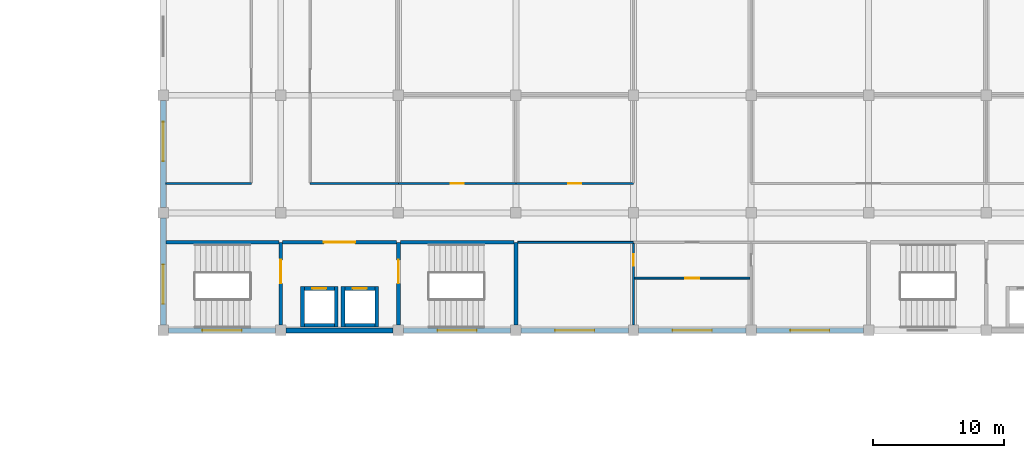
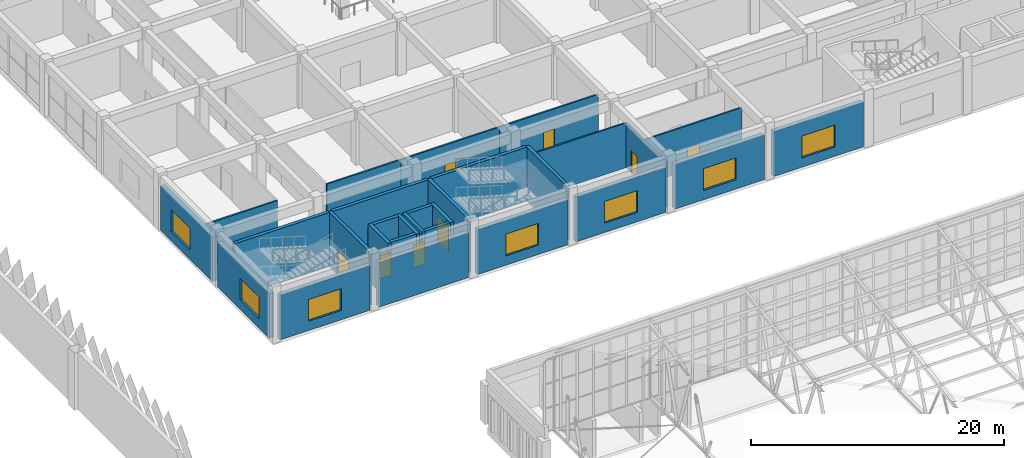
# One storey, part 122 of 185: 29 walls, 9 doors, 7 windows, 16 openings.
"""IFC4 building model written with IfcOpenShell, lengths in metres."""

from ifc_helpers import new_model, si_unit, direction, frame, frame_2d, origin, place, context, subcontext, project, spatial, rectangle, extrude, material, layer, layer_set, type_object, element, fill, save


model = new_model("IFC4")

# Units and contexts
model_context = context("Model", 3, precision=1e-05, world=origin(), true_north=direction((0.0, 1.0)))
body_context = subcontext(model_context, "Body", "Model", "MODEL_VIEW")
ifc_project = project(units=[si_unit("LENGTHUNIT", "METRE"), si_unit("AREAUNIT", "SQUARE_METRE"), si_unit("VOLUMEUNIT", "CUBIC_METRE"), si_unit("PLANEANGLEUNIT", "RADIAN"), si_unit("MASSUNIT", "GRAM", prefix="KILO")], contexts=[model_context])

# Site, building, storey
site_placement = place(None, origin())
site = spatial("IfcSite", under=ifc_project, at=site_placement, CompositionType="ELEMENT")
building_placement = place(site_placement, origin())
building = spatial("IfcBuilding", under=site, at=building_placement, Name="Opaline Strait Convention Centre", CompositionType="ELEMENT")
storey_placement = place(building_placement, frame((0.0, 0.0, 6.0)))
storey = spatial("IfcBuildingStorey", under=building, at=storey_placement, Name="L01", CompositionType="ELEMENT", Elevation=6.0)

# Walls
ifc_material_1 = material(Name="Gypsum board")
ifc_layer_1 = layer(ifc_material_1, 0.032470703125)
ifc_material_2 = material(Name="Steel stud and mineral wool", Category="steel")
ifc_layer_2 = layer(ifc_material_2, 0.0849609375)
ifc_layer_3 = layer(ifc_material_1, 0.032470703125)
ifc_layer_set_1 = layer_set([ifc_layer_1, ifc_layer_2, ifc_layer_3], Name="Gypsum board, Steel stud and mineral wool, Gypsum board")
wall_type_1 = type_object("IfcWallType", Name="Corridor partition 150 EI60", PredefinedType="PARTITIONING", material=ifc_layer_set_1)
wall_1_placement = place(storey_placement, frame((279.199951171875, 101.25, 0.0), z_axis=(0.0, 0.0, 1.0), x_axis=(1.0, 0.0, 0.0)))
element("IfcWall", 1, at=wall_1_placement, inside=storey, type_object=wall_type_1, Name="MPW1 partition Meeting Room 1.01 S", PredefinedType="PARTITIONING", context=body_context, shape_type="SweptSolid", body=[
    extrude(rectangle(XDim=6.550048828125, YDim=0.14990234375, at=frame_2d((3.27490234375, 0.0))), origin(), (0.0, 0.0, 1.0), 4.320068359375),
])
wall_2_placement = place(storey_placement, frame((290.25, 101.25, 0.0), z_axis=(0.0, 0.0, 1.0), x_axis=(1.0, 0.0, 0.0)))
element("IfcWall", 2, at=wall_2_placement, inside=storey, type_object=wall_type_1, Name="MPW1 partition Meeting Room 1.07 S", PredefinedType="PARTITIONING", context=body_context, shape_type="SweptSolid", body=[
    extrude(rectangle(XDim=6.75, YDim=0.14990234375, at=frame_2d((3.375, 0.0))), origin(), (0.0, 0.0, 1.0), 4.320068359375),
])

# Wall, opening, door
wall_3_placement = place(storey_placement, frame((297.0, 101.25, 0.0), z_axis=(0.0, 0.0, 1.0), x_axis=(1.0, 0.0, 0.0)))
wall_3 = element("IfcWall", 3, at=wall_3_placement, inside=storey, type_object=wall_type_1, Name="MPW1 partition Breakout Room 1.12 S", PredefinedType="PARTITIONING", context=body_context, shape_type="SweptSolid", body=[
    extrude(rectangle(XDim=9.0, YDim=0.14990234375, at=frame_2d((4.5, 0.0))), origin(), (0.0, 0.0, 1.0), 4.320068359375),
])
opening_1_placement = place(wall_3_placement, frame((4.0, 0.0, 0.0)))
opening_1 = element("IfcOpeningElement", 4, at=opening_1_placement, cuts=wall_3, Name="Opening M1-032", PredefinedType="OPENING", context=body_context, shape_type="SweptSolid", body=[
    extrude(rectangle(XDim=1.0, YDim=2.39990234375, at=frame_2d((0.5, 1.199951171875))), frame((0.0, 0.0849609375, 0.0), z_axis=(0.0, -1.0, 0.0), x_axis=(1.0, 0.0, 0.0)), (0.0, 0.0, 1.0), 0.169921875),
])
ifc_material_3 = material(Name="Solid-core timber leaf, steel frame door set", Category="steel")
door_type_1 = type_object("IfcDoorType", Name="Meeting room door FD30 1000 x 2400", OperationType="SINGLE_SWING_LEFT", PredefinedType="DOOR", material=ifc_material_3)
door_1_placement = place(opening_1_placement, frame((1.0, 0.0, 0.0), z_axis=(0.0, 0.0, 1.0), x_axis=(-1.0, 0.0, 0.0)))
door_1 = element("IfcDoor", 5, at=door_1_placement, inside=storey, type_object=door_type_1, Name="Door Breakout Room 1.12", ObjectType="MD8", OperationType="SINGLE_SWING_LEFT", OverallHeight=2.39990234375, OverallWidth=1.0, PredefinedType="DOOR", context=body_context, shape_type="SweptSolid", body=[
    extrude(rectangle(XDim=1.0, YDim=2.39990234375, at=frame_2d((0.5, 1.199951171875))), frame((0.0, 0.02490234375, 0.0), z_axis=(0.0, -1.0, 0.0), x_axis=(1.0, 0.0, 0.0)), (0.0, 0.0, 1.0), 0.050048828125),
])
fill(opening_1, door_1)

wall_4_placement = place(storey_placement, frame((306.0, 101.25, 0.0), z_axis=(0.0, 0.0, 1.0), x_axis=(1.0, 0.0, 0.0)))
wall_4 = element("IfcWall", 6, at=wall_4_placement, inside=storey, type_object=wall_type_1, Name="MPW1 partition Breakout Room 1.13 S", PredefinedType="PARTITIONING", context=body_context, shape_type="SweptSolid", body=[
    extrude(rectangle(XDim=9.0, YDim=0.14990234375, at=frame_2d((4.5, 0.0))), origin(), (0.0, 0.0, 1.0), 4.320068359375),
])
opening_2_placement = place(wall_4_placement, frame((4.0, 0.0, 0.0)))
opening_2 = element("IfcOpeningElement", 7, at=opening_2_placement, cuts=wall_4, Name="Opening M1-033", PredefinedType="OPENING", context=body_context, shape_type="SweptSolid", body=[
    extrude(rectangle(XDim=1.0, YDim=2.39990234375, at=frame_2d((0.5, 1.199951171875))), frame((0.0, 0.0849609375, 0.0), z_axis=(0.0, -1.0, 0.0), x_axis=(1.0, 0.0, 0.0)), (0.0, 0.0, 1.0), 0.169921875),
])
door_2_placement = place(opening_2_placement, frame((1.0, 0.0, 0.0), z_axis=(0.0, 0.0, 1.0), x_axis=(-1.0, 0.0, 0.0)))
door_2 = element("IfcDoor", 8, at=door_2_placement, inside=storey, type_object=door_type_1, Name="Door Breakout Room 1.13", ObjectType="MD8", OperationType="SINGLE_SWING_LEFT", OverallHeight=2.39990234375, OverallWidth=1.0, PredefinedType="DOOR", context=body_context, shape_type="SweptSolid", body=[
    extrude(rectangle(XDim=1.0, YDim=2.39990234375, at=frame_2d((0.5, 1.199951171875))), frame((0.0, 0.02490234375, 0.0), z_axis=(0.0, -1.0, 0.0), x_axis=(1.0, 0.0, 0.0)), (0.0, 0.0, 1.0), 0.050048828125),
])
fill(opening_2, door_2)

# Wall
wall_5_placement = place(storey_placement, frame((306.14990234375, 96.75, 0.0), z_axis=(0.0, 0.0, 1.0), x_axis=(1.0, 0.0, 0.0)))
element("IfcWall", 9, at=wall_5_placement, inside=storey, type_object=wall_type_1, Name="MPW1 partition Men's WC 1.S N", PredefinedType="PARTITIONING", context=body_context, shape_type="SweptSolid", body=[
    extrude(rectangle(XDim=8.85009765625, YDim=0.14990234375, at=frame_2d((4.425048828125, 0.0))), origin(), (0.0, 0.0, 1.0), 4.320068359375),
])

# Wall, opening, window
ifc_material_4 = material(Name="Concrete C40 precast", Category="concrete")
ifc_layer_4 = layer(ifc_material_4, 0.10009765625)
ifc_material_5 = material(Name="Mineral wool insulation")
ifc_layer_5 = layer(ifc_material_5, 0.14990234375)
ifc_layer_6 = layer(ifc_material_4, 0.14990234375)
ifc_layer_set_2 = layer_set([ifc_layer_4, ifc_layer_5, ifc_layer_6], Name="Concrete C40 precast, Mineral wool insulation, Concrete C40 precast")
wall_type_2 = type_object("IfcWallType", Name="External wall 400 insulated precast EI60", PredefinedType="STANDARD", material=ifc_layer_set_2)
wall_6_placement = place(storey_placement, frame((279.39990234375, 90.0, 0.0), z_axis=(0.0, 0.0, 1.0), x_axis=(1.0, 0.0, 0.0)))
wall_6 = element("IfcWall", 10, at=wall_6_placement, inside=storey, type_object=wall_type_2, Name="External wall S L01 32/L", PredefinedType="STANDARD", context=body_context, shape_type="SweptSolid", body=[
    extrude(rectangle(XDim=8.2001953125, YDim=0.39990234375, at=frame_2d((4.10009765625, 0.0))), origin(), (0.0, 0.0, 1.0), 4.320068359375),
])
opening_3_placement = place(wall_6_placement, frame((2.60009765625, 0.0, 0.89990234375)))
opening_3 = element("IfcOpeningElement", 11, at=opening_3_placement, cuts=wall_6, Name="Opening MW2", PredefinedType="OPENING", context=body_context, shape_type="SweptSolid", body=[
    extrude(rectangle(XDim=3.0, YDim=2.10009765625, at=frame_2d((1.5, 1.050048828125))), frame((0.0, 0.2099609375, 0.0), z_axis=(0.0, -1.0, 0.0), x_axis=(1.0, 0.0, 0.0)), (0.0, 0.0, 1.0), 0.419921875),
])
ifc_material_6 = material(Name="Aluminium framed double glazing", Category="aluminium")
window_type = type_object("IfcWindowType", Name="Window 3000 x 2100", PartitioningType="TRIPLE_PANEL_VERTICAL", PredefinedType="WINDOW", material=ifc_material_6)
window_1_placement = place(opening_3_placement, origin())
window_1 = element("IfcWindow", 12, at=window_1_placement, inside=storey, type_object=window_type, Name="Window Escape Stair S1 S", OverallHeight=2.10009765625, OverallWidth=3.0, PartitioningType="TRIPLE_PANEL_VERTICAL", PredefinedType="WINDOW", context=body_context, shape_type="SweptSolid", body=[
    extrude(rectangle(XDim=3.0, YDim=2.10009765625, at=frame_2d((1.5, 1.050048828125))), frame((0.0, 0.030029296875, 0.0), z_axis=(0.0, -1.0, 0.0), x_axis=(1.0, 0.0, 0.0)), (0.0, 0.0, 1.0), 0.06005859375),
])
fill(opening_3, window_1)

# Wall
wall_7_placement = place(storey_placement, frame((288.39990234375, 90.0, 0.0), z_axis=(0.0, 0.0, 1.0), x_axis=(1.0, 0.0, 0.0)))
element("IfcWall", 13, at=wall_7_placement, inside=storey, type_object=wall_type_2, Name="External wall S L01 33/L", PredefinedType="STANDARD", context=body_context, shape_type="SweptSolid", body=[
    extrude(rectangle(XDim=8.2001953125, YDim=0.39990234375, at=frame_2d((4.10009765625, 0.0))), origin(), (0.0, 0.0, 1.0), 4.320068359375),
])

# Wall, opening, window
wall_8_placement = place(storey_placement, frame((297.39990234375, 90.0, 0.0), z_axis=(0.0, 0.0, 1.0), x_axis=(1.0, 0.0, 0.0)))
wall_8 = element("IfcWall", 14, at=wall_8_placement, inside=storey, type_object=wall_type_2, Name="External wall S L01 34/L", PredefinedType="STANDARD", context=body_context, shape_type="SweptSolid", body=[
    extrude(rectangle(XDim=8.2001953125, YDim=0.39990234375, at=frame_2d((4.10009765625, 0.0))), origin(), (0.0, 0.0, 1.0), 4.320068359375),
])
opening_4_placement = place(wall_8_placement, frame((2.60009765625, 0.0, 0.89990234375)))
opening_4 = element("IfcOpeningElement", 15, at=opening_4_placement, cuts=wall_8, Name="Opening MW2", PredefinedType="OPENING", context=body_context, shape_type="SweptSolid", body=[
    extrude(rectangle(XDim=3.0, YDim=2.10009765625, at=frame_2d((1.5, 1.050048828125))), frame((0.0, 0.2099609375, 0.0), z_axis=(0.0, -1.0, 0.0), x_axis=(1.0, 0.0, 0.0)), (0.0, 0.0, 1.0), 0.419921875),
])
window_2_placement = place(opening_4_placement, origin())
window_2 = element("IfcWindow", 16, at=window_2_placement, inside=storey, type_object=window_type, Name="Window Escape Stair S2 S", OverallHeight=2.10009765625, OverallWidth=3.0, PartitioningType="TRIPLE_PANEL_VERTICAL", PredefinedType="WINDOW", context=body_context, shape_type="SweptSolid", body=[
    extrude(rectangle(XDim=3.0, YDim=2.10009765625, at=frame_2d((1.5, 1.050048828125))), frame((0.0, 0.030029296875, 0.0), z_axis=(0.0, -1.0, 0.0), x_axis=(1.0, 0.0, 0.0)), (0.0, 0.0, 1.0), 0.06005859375),
])
fill(opening_4, window_2)

wall_9_placement = place(storey_placement, frame((306.39990234375, 90.0, 0.0), z_axis=(0.0, 0.0, 1.0), x_axis=(1.0, 0.0, 0.0)))
wall_9 = element("IfcWall", 17, at=wall_9_placement, inside=storey, type_object=wall_type_2, Name="External wall S L01 35/L", PredefinedType="STANDARD", context=body_context, shape_type="SweptSolid", body=[
    extrude(rectangle(XDim=8.2001953125, YDim=0.39990234375, at=frame_2d((4.10009765625, 0.0))), origin(), (0.0, 0.0, 1.0), 4.320068359375),
])
opening_5_placement = place(wall_9_placement, frame((2.60009765625, 0.0, 0.89990234375)))
opening_5 = element("IfcOpeningElement", 18, at=opening_5_placement, cuts=wall_9, Name="Opening MW2", PredefinedType="OPENING", context=body_context, shape_type="SweptSolid", body=[
    extrude(rectangle(XDim=3.0, YDim=2.10009765625, at=frame_2d((1.5, 1.050048828125))), frame((0.0, 0.2099609375, 0.0), z_axis=(0.0, -1.0, 0.0), x_axis=(1.0, 0.0, 0.0)), (0.0, 0.0, 1.0), 0.419921875),
])
window_3_placement = place(opening_5_placement, origin())
window_3 = element("IfcWindow", 19, at=window_3_placement, inside=storey, type_object=window_type, Name="Window Men's WC 1.S S", OverallHeight=2.10009765625, OverallWidth=3.0, PartitioningType="TRIPLE_PANEL_VERTICAL", PredefinedType="WINDOW", context=body_context, shape_type="SweptSolid", body=[
    extrude(rectangle(XDim=3.0, YDim=2.10009765625, at=frame_2d((1.5, 1.050048828125))), frame((0.0, 0.030029296875, 0.0), z_axis=(0.0, -1.0, 0.0), x_axis=(1.0, 0.0, 0.0)), (0.0, 0.0, 1.0), 0.06005859375),
])
fill(opening_5, window_3)

wall_10_placement = place(storey_placement, frame((315.39990234375, 90.0, 0.0), z_axis=(0.0, 0.0, 1.0), x_axis=(1.0, 0.0, 0.0)))
wall_10 = element("IfcWall", 20, at=wall_10_placement, inside=storey, type_object=wall_type_2, Name="External wall S L01 36/L", PredefinedType="STANDARD", context=body_context, shape_type="SweptSolid", body=[
    extrude(rectangle(XDim=8.2001953125, YDim=0.39990234375, at=frame_2d((4.10009765625, 0.0))), origin(), (0.0, 0.0, 1.0), 4.320068359375),
])
opening_6_placement = place(wall_10_placement, frame((2.60009765625, 0.0, 0.89990234375)))
opening_6 = element("IfcOpeningElement", 21, at=opening_6_placement, cuts=wall_10, Name="Opening MW2", PredefinedType="OPENING", context=body_context, shape_type="SweptSolid", body=[
    extrude(rectangle(XDim=3.0, YDim=2.10009765625, at=frame_2d((1.5, 1.050048828125))), frame((0.0, 0.2099609375, 0.0), z_axis=(0.0, -1.0, 0.0), x_axis=(1.0, 0.0, 0.0)), (0.0, 0.0, 1.0), 0.419921875),
])
window_4_placement = place(opening_6_placement, origin())
window_4 = element("IfcWindow", 22, at=window_4_placement, inside=storey, type_object=window_type, Name="Window Accessible WC 1.S S", OverallHeight=2.10009765625, OverallWidth=3.0, PartitioningType="TRIPLE_PANEL_VERTICAL", PredefinedType="WINDOW", context=body_context, shape_type="SweptSolid", body=[
    extrude(rectangle(XDim=3.0, YDim=2.10009765625, at=frame_2d((1.5, 1.050048828125))), frame((0.0, 0.030029296875, 0.0), z_axis=(0.0, -1.0, 0.0), x_axis=(1.0, 0.0, 0.0)), (0.0, 0.0, 1.0), 0.06005859375),
])
fill(opening_6, window_4)

wall_11_placement = place(storey_placement, frame((324.39990234375, 90.0, 0.0), z_axis=(0.0, 0.0, 1.0), x_axis=(1.0, 0.0, 0.0)))
wall_11 = element("IfcWall", 23, at=wall_11_placement, inside=storey, type_object=wall_type_2, Name="External wall S L01 37/L", PredefinedType="STANDARD", context=body_context, shape_type="SweptSolid", body=[
    extrude(rectangle(XDim=8.2001953125, YDim=0.39990234375, at=frame_2d((4.10009765625, 0.0))), origin(), (0.0, 0.0, 1.0), 4.320068359375),
])
opening_7_placement = place(wall_11_placement, frame((2.60009765625, 0.0, 0.89990234375)))
opening_7 = element("IfcOpeningElement", 24, at=opening_7_placement, cuts=wall_11, Name="Opening MW2", PredefinedType="OPENING", context=body_context, shape_type="SweptSolid", body=[
    extrude(rectangle(XDim=3.0, YDim=2.10009765625, at=frame_2d((1.5, 1.050048828125))), frame((0.0, 0.2099609375, 0.0), z_axis=(0.0, -1.0, 0.0), x_axis=(1.0, 0.0, 0.0)), (0.0, 0.0, 1.0), 0.419921875),
])
window_5_placement = place(opening_7_placement, origin())
window_5 = element("IfcWindow", 25, at=window_5_placement, inside=storey, type_object=window_type, Name="Window Women's WC 1.S S", OverallHeight=2.10009765625, OverallWidth=3.0, PartitioningType="TRIPLE_PANEL_VERTICAL", PredefinedType="WINDOW", context=body_context, shape_type="SweptSolid", body=[
    extrude(rectangle(XDim=3.0, YDim=2.10009765625, at=frame_2d((1.5, 1.050048828125))), frame((0.0, 0.030029296875, 0.0), z_axis=(0.0, -1.0, 0.0), x_axis=(1.0, 0.0, 0.0)), (0.0, 0.0, 1.0), 0.06005859375),
])
fill(opening_7, window_5)

wall_12_placement = place(storey_placement, frame((279.0, 90.39990234375, 0.0), z_axis=(0.0, 0.0, 1.0), x_axis=(0.0, 1.0, 0.0)))
wall_12 = element("IfcWall", 26, at=wall_12_placement, inside=storey, type_object=wall_type_2, Name="External wall W L01 32/L", PredefinedType="STANDARD", context=body_context, shape_type="SweptSolid", body=[
    extrude(rectangle(XDim=8.2001953125, YDim=0.39990234375, at=frame_2d((4.10009765625, 0.0))), origin(), (0.0, 0.0, 1.0), 4.320068359375),
])
opening_8_placement = place(wall_12_placement, frame((1.6376953125, 0.0, 0.89990234375)))
opening_8 = element("IfcOpeningElement", 27, at=opening_8_placement, cuts=wall_12, Name="Opening MW2", PredefinedType="OPENING", context=body_context, shape_type="SweptSolid", body=[
    extrude(rectangle(XDim=3.0, YDim=2.10009765625, at=frame_2d((1.5, 1.050048828125))), frame((0.0, 0.2099609375, 0.0), z_axis=(0.0, -1.0, 0.0), x_axis=(1.0, 0.0, 0.0)), (0.0, 0.0, 1.0), 0.419921875),
])
window_6_placement = place(opening_8_placement, origin())
window_6 = element("IfcWindow", 28, at=window_6_placement, inside=storey, type_object=window_type, Name="Window Escape Stair S1 W", OverallHeight=2.10009765625, OverallWidth=3.0, PartitioningType="TRIPLE_PANEL_VERTICAL", PredefinedType="WINDOW", context=body_context, shape_type="SweptSolid", body=[
    extrude(rectangle(XDim=3.0, YDim=2.10009765625, at=frame_2d((1.5, 1.050048828125))), frame((0.0, 0.030029296875, 0.0), z_axis=(0.0, -1.0, 0.0), x_axis=(1.0, 0.0, 0.0)), (0.0, 0.0, 1.0), 0.06005859375),
])
fill(opening_8, window_6)

wall_13_placement = place(storey_placement, frame((279.0, 99.39990234375, 0.0), z_axis=(0.0, 0.0, 1.0), x_axis=(0.0, 1.0, 0.0)))
wall_13 = element("IfcWall", 29, at=wall_13_placement, inside=storey, type_object=wall_type_2, Name="External wall W L01 32/M", PredefinedType="STANDARD", context=body_context, shape_type="SweptSolid", body=[
    extrude(rectangle(XDim=8.2001953125, YDim=0.39990234375, at=frame_2d((4.10009765625, 0.0))), origin(), (0.0, 0.0, 1.0), 4.320068359375),
])
opening_9_placement = place(wall_13_placement, frame((3.5625, 0.0, 0.89990234375)))
opening_9 = element("IfcOpeningElement", 30, at=opening_9_placement, cuts=wall_13, Name="Opening MW2", PredefinedType="OPENING", context=body_context, shape_type="SweptSolid", body=[
    extrude(rectangle(XDim=3.0, YDim=2.10009765625, at=frame_2d((1.5, 1.050048828125))), frame((0.0, 0.2099609375, 0.0), z_axis=(0.0, -1.0, 0.0), x_axis=(1.0, 0.0, 0.0)), (0.0, 0.0, 1.0), 0.419921875),
])
window_7_placement = place(opening_9_placement, origin())
window_7 = element("IfcWindow", 31, at=window_7_placement, inside=storey, type_object=window_type, Name="Window Meeting Room 1.01 W", OverallHeight=2.10009765625, OverallWidth=3.0, PartitioningType="TRIPLE_PANEL_VERTICAL", PredefinedType="WINDOW", context=body_context, shape_type="SweptSolid", body=[
    extrude(rectangle(XDim=3.0, YDim=2.10009765625, at=frame_2d((1.5, 1.050048828125))), frame((0.0, 0.030029296875, 0.0), z_axis=(0.0, -1.0, 0.0), x_axis=(1.0, 0.0, 0.0)), (0.0, 0.0, 1.0), 0.06005859375),
])
fill(opening_9, window_7)

# Wall, opening, door
ifc_material_7 = material(Name="Concrete C40", Category="concrete")
ifc_layer_7 = layer(ifc_material_7, 0.300048828125)
ifc_layer_set_3 = layer_set([ifc_layer_7], Name="Concrete C40")
wall_type_3 = type_object("IfcWallType", Name="RC core wall 300 C40", PredefinedType="SHEAR", material=ifc_layer_set_3)
wall_14_placement = place(storey_placement, frame((288.0, 90.39990234375, 0.0), z_axis=(0.0, 0.0, 1.0), x_axis=(0.0, 1.0, 0.0)))
wall_14 = element("IfcWall", 32, at=wall_14_placement, inside=storey, type_object=wall_type_3, Name="Core wall SW-L01", PredefinedType="SHEAR", context=body_context, shape_type="SweptSolid", body=[
    extrude(rectangle(XDim=6.35009765625, YDim=0.300048828125, at=frame_2d((3.175048828125, 0.0))), origin(), (0.0, 0.0, 1.0), 5.219970703125),
])
opening_10_placement = place(wall_14_placement, frame((3.2001953125, 0.0, 0.0)))
opening_10 = element("IfcOpeningElement", 33, at=opening_10_placement, cuts=wall_14, Name="Opening M1-001", PredefinedType="OPENING", context=body_context, shape_type="SweptSolid", body=[
    extrude(rectangle(XDim=1.800048828125, YDim=2.39990234375, at=frame_2d((0.89990234375, 1.199951171875))), frame((0.0, 0.159912109375, 0.0), z_axis=(0.0, -1.0, 0.0), x_axis=(1.0, 0.0, 0.0)), (0.0, 0.0, 1.0), 0.320068359375),
])
ifc_material_8 = material(Name="Steel Q235B", Category="steel")
door_type_2 = type_object("IfcDoorType", Name="Stair door FD60 1800 x 2400", OperationType="DOUBLE_DOOR_SINGLE_SWING", PredefinedType="DOOR", material=ifc_material_8)
door_3_placement = place(opening_10_placement, frame((1.800048828125, 0.0, 0.0), z_axis=(0.0, 0.0, 1.0), x_axis=(-1.0, 0.0, 0.0)))
door_3 = element("IfcDoor", 34, at=door_3_placement, inside=storey, type_object=door_type_2, Name="Escape stair S1 door L01", ObjectType="MD4", OperationType="DOUBLE_DOOR_SINGLE_SWING", OverallHeight=2.39990234375, OverallWidth=1.800048828125, PredefinedType="DOOR", context=body_context, shape_type="SweptSolid", body=[
    extrude(rectangle(XDim=1.800048828125, YDim=2.39990234375, at=frame_2d((0.89990234375, 1.199951171875))), frame((0.0, 0.02490234375, 0.0), z_axis=(0.0, -1.0, 0.0), x_axis=(1.0, 0.0, 0.0)), (0.0, 0.0, 1.0), 0.050048828125),
])
fill(opening_10, door_3)

wall_15_placement = place(storey_placement, frame((297.0, 90.39990234375, 0.0), z_axis=(0.0, 0.0, 1.0), x_axis=(0.0, 1.0, 0.0)))
wall_15 = element("IfcWall", 35, at=wall_15_placement, inside=storey, type_object=wall_type_3, Name="Core wall SW-L01", PredefinedType="SHEAR", context=body_context, shape_type="SweptSolid", body=[
    extrude(rectangle(XDim=6.35009765625, YDim=0.300048828125, at=frame_2d((3.175048828125, 0.0))), origin(), (0.0, 0.0, 1.0), 5.219970703125),
])
opening_11_placement = place(wall_15_placement, frame((3.2001953125, 0.0, 0.0)))
opening_11 = element("IfcOpeningElement", 36, at=opening_11_placement, cuts=wall_15, Name="Opening M1-002", PredefinedType="OPENING", context=body_context, shape_type="SweptSolid", body=[
    extrude(rectangle(XDim=1.800048828125, YDim=2.39990234375, at=frame_2d((0.89990234375, 1.199951171875))), frame((0.0, 0.159912109375, 0.0), z_axis=(0.0, -1.0, 0.0), x_axis=(1.0, 0.0, 0.0)), (0.0, 0.0, 1.0), 0.320068359375),
])
door_4_placement = place(opening_11_placement, origin())
door_4 = element("IfcDoor", 37, at=door_4_placement, inside=storey, type_object=door_type_2, Name="Escape stair S2 door L01", ObjectType="MD4", OperationType="DOUBLE_DOOR_SINGLE_SWING", OverallHeight=2.39990234375, OverallWidth=1.800048828125, PredefinedType="DOOR", context=body_context, shape_type="SweptSolid", body=[
    extrude(rectangle(XDim=1.800048828125, YDim=2.39990234375, at=frame_2d((0.89990234375, 1.199951171875))), frame((0.0, 0.02490234375, 0.0), z_axis=(0.0, -1.0, 0.0), x_axis=(1.0, 0.0, 0.0)), (0.0, 0.0, 1.0), 0.050048828125),
])
fill(opening_11, door_4)

# Walls
wall_16_placement = place(storey_placement, frame((306.0, 90.39990234375, 0.0), z_axis=(0.0, 0.0, 1.0), x_axis=(0.0, 1.0, 0.0)))
element("IfcWall", 38, at=wall_16_placement, inside=storey, type_object=wall_type_3, Name="Core wall SW-L01", PredefinedType="SHEAR", context=body_context, shape_type="SweptSolid", body=[
    extrude(rectangle(XDim=6.35009765625, YDim=0.300048828125, at=frame_2d((3.175048828125, 0.0))), origin(), (0.0, 0.0, 1.0), 5.219970703125),
])
wall_17_placement = place(storey_placement, frame((279.199951171875, 96.75, 0.0), z_axis=(0.0, 0.0, 1.0), x_axis=(1.0, 0.0, 0.0)))
element("IfcWall", 39, at=wall_17_placement, inside=storey, type_object=wall_type_3, Name="Core wall SW-L01", PredefinedType="SHEAR", context=body_context, shape_type="SweptSolid", body=[
    extrude(rectangle(XDim=8.650146484375, YDim=0.300048828125, at=frame_2d((4.3251953125, 0.0))), origin(), (0.0, 0.0, 1.0), 5.219970703125),
])

# Wall, opening, door
wall_18_placement = place(storey_placement, frame((288.14990234375, 96.75, 0.0), z_axis=(0.0, 0.0, 1.0), x_axis=(1.0, 0.0, 0.0)))
wall_18 = element("IfcWall", 40, at=wall_18_placement, inside=storey, type_object=wall_type_3, Name="Core wall SW-L01", PredefinedType="SHEAR", context=body_context, shape_type="SweptSolid", body=[
    extrude(rectangle(XDim=8.7001953125, YDim=0.300048828125, at=frame_2d((4.35009765625, 0.0))), origin(), (0.0, 0.0, 1.0), 5.219970703125),
])
opening_12_placement = place(wall_18_placement, frame((3.150146484375, 0.0, 0.0)))
opening_12 = element("IfcOpeningElement", 41, at=opening_12_placement, cuts=wall_18, Name="Opening M1-003", PredefinedType="OPENING", context=body_context, shape_type="SweptSolid", body=[
    extrude(rectangle(XDim=2.39990234375, YDim=2.39990234375, at=frame_2d((1.199951171875, 1.199951171875))), frame((0.0, 0.159912109375, 0.0), z_axis=(0.0, -1.0, 0.0), x_axis=(1.0, 0.0, 0.0)), (0.0, 0.0, 1.0), 0.320068359375),
])
door_type_3 = type_object("IfcDoorType", Name="Lift lobby double door FD60 2400 x 2400", OperationType="DOUBLE_DOOR_SINGLE_SWING", PredefinedType="DOOR", material=ifc_material_8)
door_5_placement = place(opening_12_placement, origin())
door_5 = element("IfcDoor", 42, at=door_5_placement, inside=storey, type_object=door_type_3, Name="Lift lobby SW door L01", ObjectType="MD5", OperationType="DOUBLE_DOOR_SINGLE_SWING", OverallHeight=2.39990234375, OverallWidth=2.39990234375, PredefinedType="DOOR", context=body_context, shape_type="SweptSolid", body=[
    extrude(rectangle(XDim=2.39990234375, YDim=2.39990234375, at=frame_2d((1.199951171875, 1.199951171875))), frame((0.0, 0.02490234375, 0.0), z_axis=(0.0, -1.0, 0.0), x_axis=(1.0, 0.0, 0.0)), (0.0, 0.0, 1.0), 0.050048828125),
])
fill(opening_12, door_5)

# Walls
wall_19_placement = place(storey_placement, frame((297.14990234375, 96.75, 0.0), z_axis=(0.0, 0.0, 1.0), x_axis=(1.0, 0.0, 0.0)))
element("IfcWall", 43, at=wall_19_placement, inside=storey, type_object=wall_type_3, Name="Core wall SW-L01", PredefinedType="SHEAR", context=body_context, shape_type="SweptSolid", body=[
    extrude(rectangle(XDim=8.7001953125, YDim=0.300048828125, at=frame_2d((4.35009765625, 0.0))), origin(), (0.0, 0.0, 1.0), 5.219970703125),
])
ifc_layer_8 = layer(ifc_material_7, 0.300048828125)
ifc_layer_set_4 = layer_set([ifc_layer_8], Name="Concrete C40")
wall_type_4 = type_object("IfcWallType", Name="RC lift shaft wall 300 C40", PredefinedType="SHEAR", material=ifc_layer_set_4)
for number, where, z_axis, x_axis, name in (
    (44, (289.64990234375, 90.25, 0.0), (0.0, 0.0, 1.0), (0.0, 1.0, 0.0), "Lift shaft SW1 wall L01"),
    (45, (292.25, 90.25, 0.0), (0.0, 0.0, 1.0), (0.0, 1.0, 0.0), "Lift shaft SW1 wall L01"),
):
    element("IfcWall", number, at=place(storey_placement, frame(where, z_axis=z_axis, x_axis=x_axis)), inside=storey, type_object=wall_type_4, Name=name, PredefinedType="SHEAR", context=body_context, shape_type="SweptSolid", body=[
        extrude(rectangle(XDim=3.10009765625, YDim=0.300048828125, at=frame_2d((1.550048828125, 0.0))), origin(), (0.0, 0.0, 1.0), 5.5),
    ])
wall_20_placement = place(storey_placement, frame((289.800048828125, 90.39990234375, 0.0), z_axis=(0.0, 0.0, 1.0), x_axis=(1.0, 0.0, 0.0)))
element("IfcWall", 46, at=wall_20_placement, inside=storey, type_object=wall_type_4, Name="Lift shaft SW1 wall L01", PredefinedType="SHEAR", context=body_context, shape_type="SweptSolid", body=[
    extrude(rectangle(XDim=2.300048828125, YDim=0.300048828125, at=frame_2d((1.14990234375, 0.0))), origin(), (0.0, 0.0, 1.0), 5.5),
])

# Wall, opening, door
wall_21_placement = place(storey_placement, frame((289.800048828125, 93.199951171875, 0.0), z_axis=(0.0, 0.0, 1.0), x_axis=(1.0, 0.0, 0.0)))
wall_21 = element("IfcWall", 47, at=wall_21_placement, inside=storey, type_object=wall_type_4, Name="Lift shaft SW1 wall L01", PredefinedType="SHEAR", context=body_context, shape_type="SweptSolid", body=[
    extrude(rectangle(XDim=2.300048828125, YDim=0.300048828125, at=frame_2d((1.14990234375, 0.0))), origin(), (0.0, 0.0, 1.0), 5.5),
])
opening_13_placement = place(wall_21_placement, frame((0.599853515625, 0.0, 0.0)))
opening_13 = element("IfcOpeningElement", 48, at=opening_13_placement, cuts=wall_21, Name="Opening M1-004", PredefinedType="OPENING", context=body_context, shape_type="SweptSolid", body=[
    extrude(rectangle(XDim=1.10009765625, YDim=2.199951171875, at=frame_2d((0.550048828125, 1.10009765625))), frame((0.0, 0.159912109375, 0.0), z_axis=(0.0, -1.0, 0.0), x_axis=(1.0, 0.0, 0.0)), (0.0, 0.0, 1.0), 0.320068359375),
])
ifc_material_9 = material(Name="Stainless steel 304", Category="steel")
door_type_4 = type_object("IfcDoorType", Name="Lift landing door FD60 1100 x 2200", OperationType="SLIDING_TO_LEFT", PredefinedType="DOOR", material=ifc_material_9)
door_6_placement = place(opening_13_placement, origin())
door_6 = element("IfcDoor", 49, at=door_6_placement, inside=storey, type_object=door_type_4, Name="Lift landing door SW1 L01", ObjectType="MD6", OperationType="SLIDING_TO_RIGHT", OverallHeight=2.199951171875, OverallWidth=1.10009765625, PredefinedType="DOOR", context=body_context, shape_type="SweptSolid", body=[
    extrude(rectangle(XDim=1.10009765625, YDim=2.199951171875, at=frame_2d((0.550048828125, 1.10009765625))), frame((0.0, 0.02490234375, 0.0), z_axis=(0.0, -1.0, 0.0), x_axis=(1.0, 0.0, 0.0)), (0.0, 0.0, 1.0), 0.050048828125),
])
fill(opening_13, door_6)

# Walls
for number, where, z_axis, x_axis, name in (
    (50, (292.75, 90.25, 0.0), (0.0, 0.0, 1.0), (0.0, 1.0, 0.0), "Lift shaft SW2 wall L01"),
    (51, (295.35009765625, 90.25, 0.0), (0.0, 0.0, 1.0), (0.0, 1.0, 0.0), "Lift shaft SW2 wall L01"),
):
    element("IfcWall", number, at=place(storey_placement, frame(where, z_axis=z_axis, x_axis=x_axis)), inside=storey, type_object=wall_type_4, Name=name, PredefinedType="SHEAR", context=body_context, shape_type="SweptSolid", body=[
        extrude(rectangle(XDim=3.10009765625, YDim=0.300048828125, at=frame_2d((1.550048828125, 0.0))), origin(), (0.0, 0.0, 1.0), 5.5),
    ])
wall_22_placement = place(storey_placement, frame((292.89990234375, 90.39990234375, 0.0), z_axis=(0.0, 0.0, 1.0), x_axis=(1.0, 0.0, 0.0)))
element("IfcWall", 52, at=wall_22_placement, inside=storey, type_object=wall_type_4, Name="Lift shaft SW2 wall L01", PredefinedType="SHEAR", context=body_context, shape_type="SweptSolid", body=[
    extrude(rectangle(XDim=2.300048828125, YDim=0.300048828125, at=frame_2d((1.14990234375, 0.0))), origin(), (0.0, 0.0, 1.0), 5.5),
])

# Wall, opening, door
wall_23_placement = place(storey_placement, frame((292.89990234375, 93.199951171875, 0.0), z_axis=(0.0, 0.0, 1.0), x_axis=(1.0, 0.0, 0.0)))
wall_23 = element("IfcWall", 53, at=wall_23_placement, inside=storey, type_object=wall_type_4, Name="Lift shaft SW2 wall L01", PredefinedType="SHEAR", context=body_context, shape_type="SweptSolid", body=[
    extrude(rectangle(XDim=2.300048828125, YDim=0.300048828125, at=frame_2d((1.14990234375, 0.0))), origin(), (0.0, 0.0, 1.0), 5.5),
])
opening_14_placement = place(wall_23_placement, frame((0.60009765625, 0.0, 0.0)))
opening_14 = element("IfcOpeningElement", 54, at=opening_14_placement, cuts=wall_23, Name="Opening M1-005", PredefinedType="OPENING", context=body_context, shape_type="SweptSolid", body=[
    extrude(rectangle(XDim=1.10009765625, YDim=2.199951171875, at=frame_2d((0.550048828125, 1.10009765625))), frame((0.0, 0.159912109375, 0.0), z_axis=(0.0, -1.0, 0.0), x_axis=(1.0, 0.0, 0.0)), (0.0, 0.0, 1.0), 0.320068359375),
])
door_7_placement = place(opening_14_placement, origin())
door_7 = element("IfcDoor", 55, at=door_7_placement, inside=storey, type_object=door_type_4, Name="Lift landing door SW2 L01", ObjectType="MD6", OperationType="SLIDING_TO_LEFT", OverallHeight=2.199951171875, OverallWidth=1.10009765625, PredefinedType="DOOR", context=body_context, shape_type="SweptSolid", body=[
    extrude(rectangle(XDim=1.10009765625, YDim=2.199951171875, at=frame_2d((0.550048828125, 1.10009765625))), frame((0.0, 0.02490234375, 0.0), z_axis=(0.0, -1.0, 0.0), x_axis=(1.0, 0.0, 0.0)), (0.0, 0.0, 1.0), 0.050048828125),
])
fill(opening_14, door_7)

ifc_layer_9 = layer(ifc_material_1, 0.032470703125)
ifc_layer_10 = layer(ifc_material_2, 0.0849609375)
ifc_layer_11 = layer(ifc_material_1, 0.032470703125)
ifc_layer_set_5 = layer_set([ifc_layer_9, ifc_layer_10, ifc_layer_11], Name="Gypsum board, Steel stud and mineral wool, Gypsum board")
wall_type_5 = type_object("IfcWallType", Name="Wet-area partition 150 EI45", PredefinedType="PARTITIONING", material=ifc_layer_set_5)
wall_24_placement = place(storey_placement, frame((315.0, 90.39990234375, 0.0), z_axis=(0.0, 0.0, 1.0), x_axis=(0.0, 1.0, 0.0)))
wall_24 = element("IfcWall", 56, at=wall_24_placement, inside=storey, type_object=wall_type_5, Name="MPW4 partition Men's WC 1.S E", PredefinedType="PARTITIONING", context=body_context, shape_type="SweptSolid", body=[
    extrude(rectangle(XDim=6.275146484375, YDim=0.14990234375, at=frame_2d((3.1376953125, 0.0))), origin(), (0.0, 0.0, 1.0), 4.320068359375),
])
opening_15_placement = place(wall_24_placement, frame((4.550048828125, 0.0, 0.0)))
opening_15 = element("IfcOpeningElement", 57, at=opening_15_placement, cuts=wall_24, Name="Opening M1-048", PredefinedType="OPENING", context=body_context, shape_type="SweptSolid", body=[
    extrude(rectangle(XDim=0.89990234375, YDim=2.10009765625, at=frame_2d((0.449951171875, 1.050048828125))), frame((0.0, 0.0849609375, 0.0), z_axis=(0.0, -1.0, 0.0), x_axis=(1.0, 0.0, 0.0)), (0.0, 0.0, 1.0), 0.169921875),
])
door_type_5 = type_object("IfcDoorType", Name="WC door 900 x 2100", OperationType="SINGLE_SWING_LEFT", PredefinedType="DOOR", material=ifc_material_3)
door_8_placement = place(opening_15_placement, origin())
door_8 = element("IfcDoor", 58, at=door_8_placement, inside=storey, type_object=door_type_5, Name="Door Men's WC 1.S", ObjectType="MD11", OperationType="SINGLE_SWING_RIGHT", OverallHeight=2.10009765625, OverallWidth=0.89990234375, PredefinedType="DOOR", context=body_context, shape_type="SweptSolid", body=[
    extrude(rectangle(XDim=0.89990234375, YDim=2.10009765625, at=frame_2d((0.449951171875, 1.050048828125))), frame((0.0, 0.02490234375, 0.0), z_axis=(0.0, -1.0, 0.0), x_axis=(1.0, 0.0, 0.0)), (0.0, 0.0, 1.0), 0.050048828125),
])
fill(opening_15, door_8)

wall_25_placement = place(storey_placement, frame((315.074951171875, 94.0, 0.0), z_axis=(0.0, 0.0, 1.0), x_axis=(1.0, 0.0, 0.0)))
wall_25 = element("IfcWall", 59, at=wall_25_placement, inside=storey, type_object=wall_type_5, Name="MPW4 partition Accessible WC 1.S N", PredefinedType="PARTITIONING", context=body_context, shape_type="SweptSolid", body=[
    extrude(rectangle(XDim=8.85009765625, YDim=0.14990234375, at=frame_2d((4.425048828125, 0.0))), origin(), (0.0, 0.0, 1.0), 4.320068359375),
])
opening_16_placement = place(wall_25_placement, frame((3.875, 0.0, 0.0)))
opening_16 = element("IfcOpeningElement", 60, at=opening_16_placement, cuts=wall_25, Name="Opening M1-050", PredefinedType="OPENING", context=body_context, shape_type="SweptSolid", body=[
    extrude(rectangle(XDim=1.10009765625, YDim=2.10009765625, at=frame_2d((0.550048828125, 1.050048828125))), frame((0.0, 0.0849609375, 0.0), z_axis=(0.0, -1.0, 0.0), x_axis=(1.0, 0.0, 0.0)), (0.0, 0.0, 1.0), 0.169921875),
])
door_type_6 = type_object("IfcDoorType", Name="Accessible WC door 1100 x 2100", OperationType="SINGLE_SWING_LEFT", PredefinedType="DOOR", material=ifc_material_3)
door_9_placement = place(opening_16_placement, origin())
door_9 = element("IfcDoor", 61, at=door_9_placement, inside=storey, type_object=door_type_6, Name="Door Accessible WC 1.S", ObjectType="MD12", OperationType="SINGLE_SWING_LEFT", OverallHeight=2.10009765625, OverallWidth=1.10009765625, PredefinedType="DOOR", context=body_context, shape_type="SweptSolid", body=[
    extrude(rectangle(XDim=1.10009765625, YDim=2.10009765625, at=frame_2d((0.550048828125, 1.050048828125))), frame((0.0, 0.02490234375, 0.0), z_axis=(0.0, -1.0, 0.0), x_axis=(1.0, 0.0, 0.0)), (0.0, 0.0, 1.0), 0.050048828125),
])
fill(opening_16, door_9)

save(model, "model.ifc")
